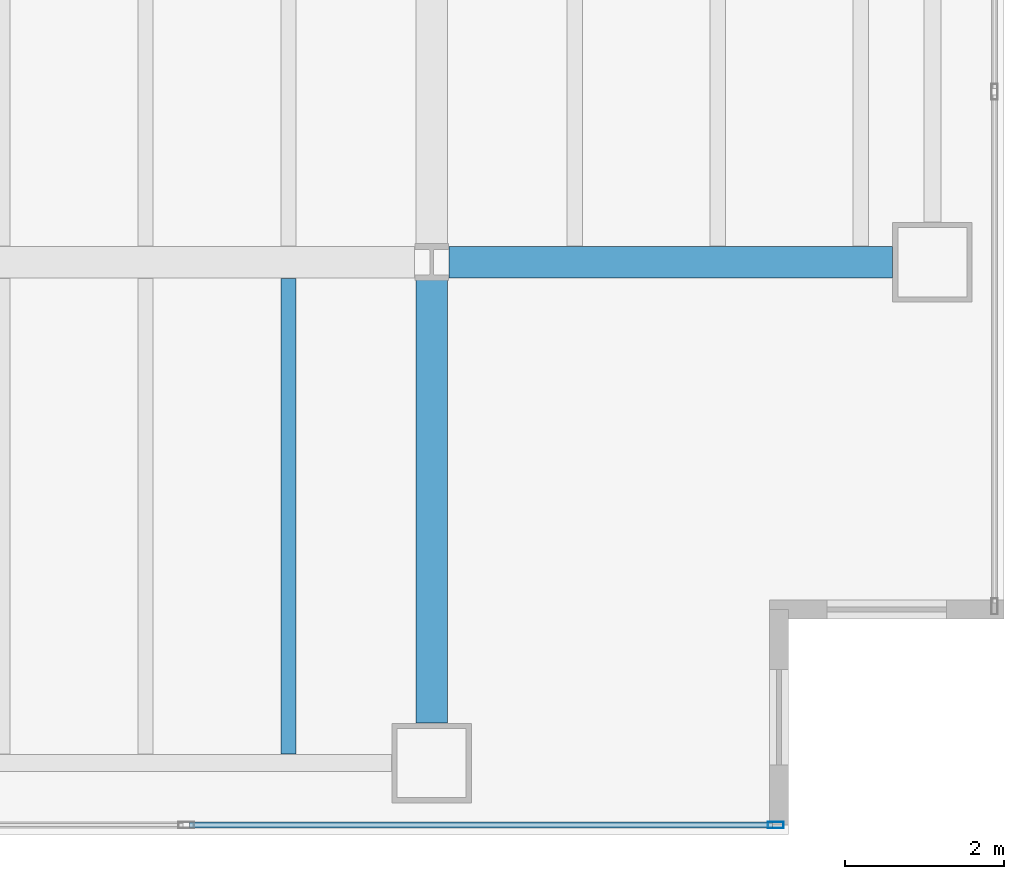
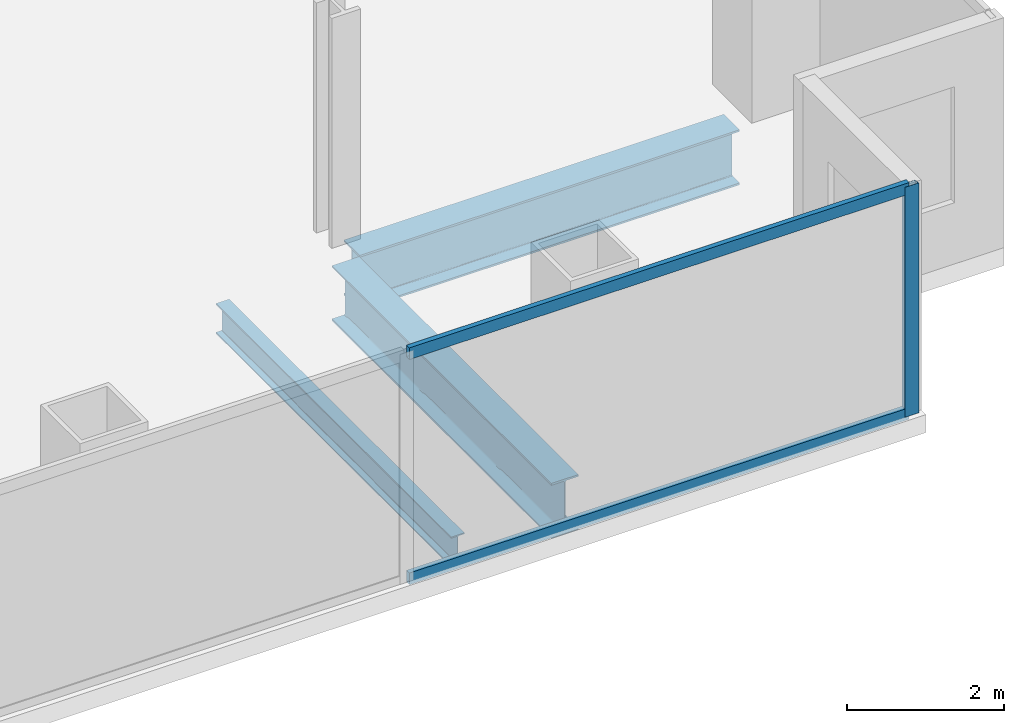
# One storey, part 8 of 23: 3 beams, 3 members, 1 element without a shape of its own.
"""IFC4 building model written with IfcOpenShell, lengths in metres."""

from ifc_helpers import new_model, si_unit, direction, frame, origin, origin_2d, place, context, subcontext, project, spatial, hollow_rectangle, i_section, extrude, material, material_profile, profile_set, type_object, element, aggregate, save


model = new_model("IFC4")

# Units and contexts
model_context = context("Model", 3, precision=1e-05, world=origin(), true_north=direction((0.0, 1.0)))
body_context = subcontext(model_context, "Body", "Model", "MODEL_VIEW")
ifc_project = project(units=[si_unit("LENGTHUNIT", "METRE"), si_unit("AREAUNIT", "SQUARE_METRE"), si_unit("VOLUMEUNIT", "CUBIC_METRE"), si_unit("PLANEANGLEUNIT", "RADIAN"), si_unit("MASSUNIT", "GRAM", prefix="KILO")], contexts=[model_context])

# Site, building, storey
site_placement = place(None, origin())
site = spatial("IfcSite", under=ifc_project, at=site_placement, CompositionType="ELEMENT")
building_placement = place(site_placement, origin())
building = spatial("IfcBuilding", under=site, at=building_placement, Name="Cobrela Telecom Tower", CompositionType="ELEMENT")
storey_placement = place(building_placement, frame((0.0, 0.0, 65.800048828125)))
storey = spatial("IfcBuildingStorey", under=building, at=storey_placement, Name="L16", CompositionType="ELEMENT", Elevation=65.800048828125)

# Beams
ifc_material_1 = material(Name="Steel ASTM A992 Grade 50", Category="steel")
ifc_material_profile_1 = material_profile(ifc_material_1, i_section(OverallWidth=0.39892578125, OverallDepth=0.85595703125, WebThickness=0.018310546875, FlangeThickness=0.029296875, FilletRadius=0.02001953125, at=origin_2d()), Name="W33X201")
ifc_profile_set_1 = profile_set([ifc_material_profile_1], Name="Steel ASTM A992 Grade 50")
beam_type_1 = type_object("IfcBeamType", Name="BM-GIRD-03", PredefinedType="USERDEFINED", material=ifc_profile_set_1)
beam_1_placement = place(storey_placement, frame((43.416015625, 7.199951171875, -0.7080078125), z_axis=(1.0, 0.0, 0.0), x_axis=(0.0, 1.0, 0.0)))
element("IfcBeam", 1, at=beam_1_placement, inside=storey, type_object=beam_type_1, Name="L16 Primary Girder X12", ObjectType="GIRDER", PredefinedType="USERDEFINED", context=body_context, shape_type="SweptSolid", body=[
    extrude(i_section(OverallWidth=0.39892578125, OverallDepth=0.85595703125, WebThickness=0.018310546875, FlangeThickness=0.029296875, FilletRadius=0.02001953125, at=origin_2d()), origin(), (0.0, 0.0, 1.0), 5.5791015625),
])
beam_2_placement = place(storey_placement, frame((43.199951171875, 1.405029296875, -0.7080078125), z_axis=(0.0, 1.0, 0.0), x_axis=(-1.0, 0.0, 0.0)))
element("IfcBeam", 2, at=beam_2_placement, inside=storey, type_object=beam_type_1, Name="L16 Primary Girder Y53", ObjectType="GIRDER", PredefinedType="USERDEFINED", context=body_context, shape_type="SweptSolid", body=[
    extrude(i_section(OverallWidth=0.39892578125, OverallDepth=0.85595703125, WebThickness=0.018310546875, FlangeThickness=0.029296875, FilletRadius=0.02001953125, at=origin_2d()), origin(), (0.0, 0.0, 1.0), 5.578857421875),
])
ifc_material_profile_2 = material_profile(ifc_material_1, i_section(OverallWidth=0.193115234375, OverallDepth=0.467041015625, WebThickness=0.011474609375, FlangeThickness=0.01904296875, FilletRadius=0.012939453125, at=origin_2d()), Name="W18X65")
ifc_profile_set_2 = profile_set([ifc_material_profile_2], Name="Steel ASTM A992 Grade 50")
beam_type_2 = type_object("IfcBeamType", Name="BM-JOIST-03", PredefinedType="JOIST", material=ifc_profile_set_2)
beam_3_placement = place(storey_placement, frame((41.39990234375, 1.011474609375, -0.513427734375), z_axis=(0.0, 1.0, 0.0), x_axis=(-1.0, 0.0, 0.0)))
element("IfcBeam", 3, at=beam_3_placement, inside=storey, type_object=beam_type_2, Name="L16 Secondary Composite Floor Beam J56", PredefinedType="JOIST", context=body_context, shape_type="SweptSolid", body=[
    extrude(i_section(OverallWidth=0.193115234375, OverallDepth=0.467041015625, WebThickness=0.011474609375, FlangeThickness=0.01904296875, FilletRadius=0.012939453125, at=origin_2d()), origin(), (0.0, 0.0, 1.0), 5.984130859375),
])

# Curtain wall, members
ifc_material_2 = material(Name="Anodized Bronze Aluminium 6063-T6", Category="aluminium")
curtain_wall_type = type_object("IfcCurtainWallType", Name="CW-SYS-DATA", PredefinedType="USERDEFINED", material=ifc_material_2)
curtain_wall_placement = place(storey_placement, origin())
curtain_wall = element("IfcCurtainWall", 4, at=curtain_wall_placement, inside=storey, type_object=curtain_wall_type, Name="L16 Unitised Bronze Curtain Wall 17", ObjectType="UNITISED CURTAIN WALL", PredefinedType="USERDEFINED")
ifc_material_profile_3 = material_profile(ifc_material_2, hollow_rectangle(XDim=0.080078125, YDim=0.199951171875, WallThickness=0.00390625, at=origin_2d()), Name="ALU 80x200x4")
ifc_profile_set_3 = profile_set([ifc_material_profile_3], Name="Anodized Bronze Aluminium 6063-T6")
member_type_1 = type_object("IfcMemberType", Name="CW-SYS-DATA-MUL", PredefinedType="MULLION", material=ifc_profile_set_3)
member_1_placement = place(storey_placement, frame((47.530029296875, 0.1201171875, 0.0), z_axis=(0.0, 0.0, 1.0), x_axis=(0.0, -1.0, 0.0)))
member_1 = element("IfcMember", 5, at=member_1_placement, type_object=member_type_1, Name="CW-DATA mullion 1", PredefinedType="MULLION", context=body_context, shape_type="SweptSolid", body=[
    extrude(hollow_rectangle(XDim=0.080078125, YDim=0.199951171875, WallThickness=0.00390625, at=origin_2d()), origin(), (0.0, 0.0, 1.0), 3.570068359375),
])
ifc_material_profile_4 = material_profile(ifc_material_2, hollow_rectangle(XDim=0.074951171875, YDim=0.179931640625, WallThickness=0.00390625, at=origin_2d()), Name="ALU 75x180x4")
ifc_profile_set_4 = profile_set([ifc_material_profile_4], Name="Anodized Bronze Aluminium 6063-T6")
member_type_2 = type_object("IfcMemberType", Name="CW-SYS-DATA-TRN", PredefinedType="USERDEFINED", material=ifc_profile_set_4)
member_2_placement = place(storey_placement, frame((47.489990234375, 0.1201171875, 0.037353515625), z_axis=(-1.0, 0.0, 0.0), x_axis=(0.0, -1.0, 0.0)))
member_2 = element("IfcMember", 6, at=member_2_placement, type_object=member_type_2, Name="CW-DATA transom 1.1", ObjectType="TRANSOM", PredefinedType="USERDEFINED", context=body_context, shape_type="SweptSolid", body=[
    extrude(hollow_rectangle(XDim=0.074951171875, YDim=0.179931640625, WallThickness=0.00390625, at=origin_2d()), origin(), (0.0, 0.0, 1.0), 7.336669921875),
])
member_3_placement = place(storey_placement, frame((47.489990234375, 0.1201171875, 3.532470703125), z_axis=(-1.0, 0.0, 0.0), x_axis=(0.0, -1.0, 0.0)))
member_3 = element("IfcMember", 7, at=member_3_placement, type_object=member_type_2, Name="CW-DATA transom 1.2", ObjectType="TRANSOM", PredefinedType="USERDEFINED", context=body_context, shape_type="SweptSolid", body=[
    extrude(hollow_rectangle(XDim=0.074951171875, YDim=0.179931640625, WallThickness=0.00390625, at=origin_2d()), origin(), (0.0, 0.0, 1.0), 7.336669921875),
])
aggregate(curtain_wall, [member_1, member_2, member_3])

save(model, "model.ifc")
